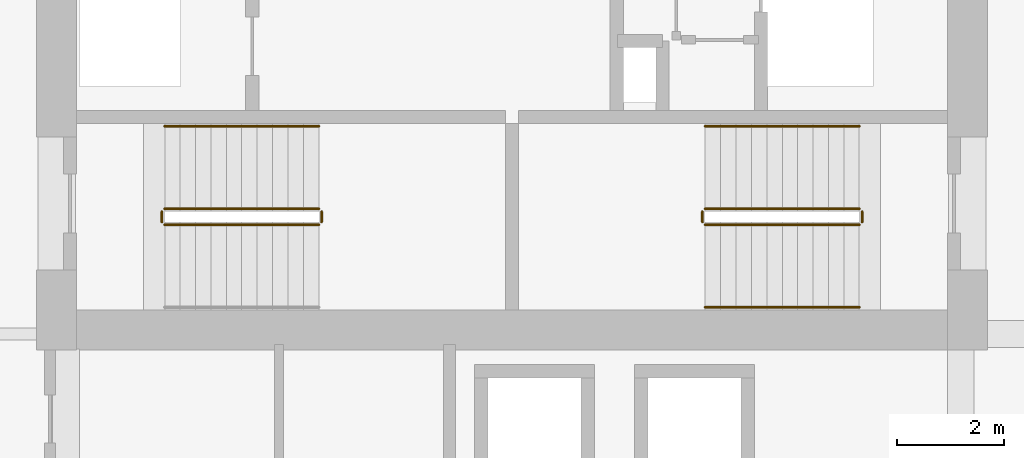
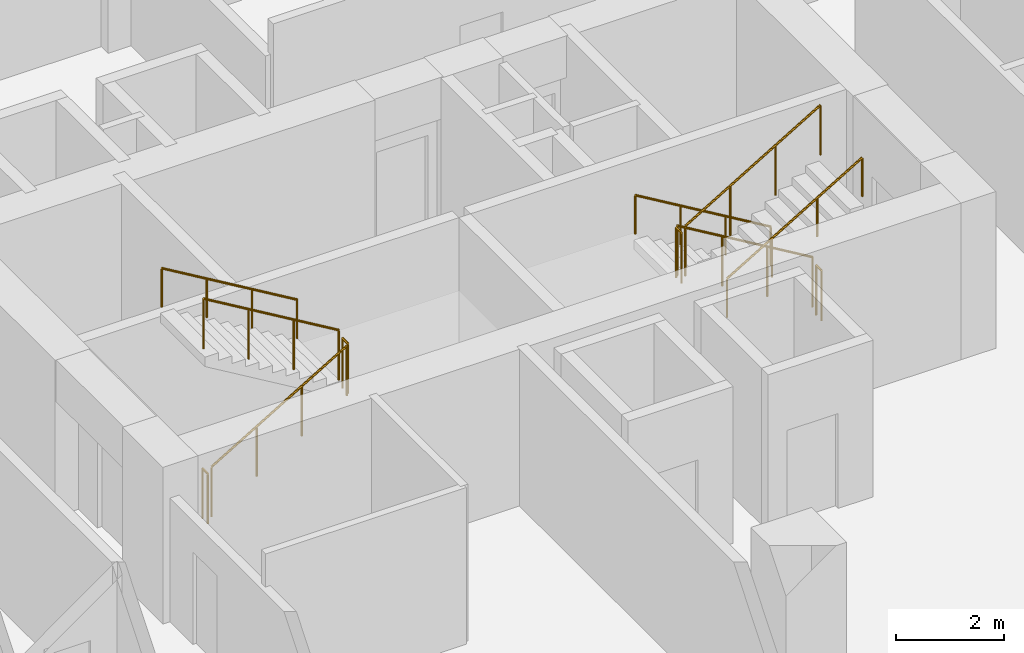
# One storey, part 19 of 21: 11 railings.
"""IFC4 building model written with IfcOpenShell, lengths in metres."""

from ifc_helpers import new_model, si_unit, direction, frame, origin, origin_2d, place, context, subcontext, project, spatial, circle, extrude, material, type_object, element, save


model = new_model("IFC4")

# Units and contexts
model_context = context("Model", 3, precision=1e-05, world=origin(), true_north=direction((0.0, 1.0)))
body_context = subcontext(model_context, "Body", "Model", "MODEL_VIEW")
ifc_project = project(units=[si_unit("LENGTHUNIT", "METRE"), si_unit("AREAUNIT", "SQUARE_METRE"), si_unit("VOLUMEUNIT", "CUBIC_METRE"), si_unit("PLANEANGLEUNIT", "RADIAN"), si_unit("MASSUNIT", "GRAM", prefix="KILO")], contexts=[model_context])

# Site, building, storey
site_placement = place(None, origin())
site = spatial("IfcSite", under=ifc_project, at=site_placement, CompositionType="ELEMENT")
building_placement = place(site_placement, origin())
building = spatial("IfcBuilding", under=site, at=building_placement, Name="Koriwani Terraces Tower", CompositionType="ELEMENT")
storey_placement = place(building_placement, frame((0.0, 0.0, 111.39990234375)))
storey = spatial("IfcBuildingStorey", under=building, at=storey_placement, Name="L26", CompositionType="ELEMENT", Elevation=111.39990234375)

# Railings
ifc_material = material(Name="Steel ASTM A572 Grade 50", Category="steel")
railing_type_1 = type_object("IfcRailingType", Name="GUARD_STAIR_WELL_1120", PredefinedType="GUARDRAIL", material=ifc_material)
railing_1_placement = place(storey_placement, frame((43.85009765625, 18.85009765625, 0.1728515625)))
element("IfcRailing", 1, at=railing_1_placement, inside=storey, type_object=railing_type_1, Name="L26 ST-E1 stair guard 1", PredefinedType="GUARDRAIL", context=body_context, shape_type="SweptSolid", body=[
    extrude(circle(Radius=0.02392578125, at=origin_2d()), frame((0.0, 0.0, 1.1259765625), z_axis=(0.859141464434, 0.0, 0.511738159696), x_axis=(0.0, 1.0, 0.0)), (0.0, 0.0, 1.0), 3.375244140625),
    extrude(circle(Radius=0.02099609375, at=origin_2d()), origin(), (0.0, 0.0, 1.0), 1.101806640625),
    extrude(circle(Radius=0.02099609375, at=origin_2d()), frame((0.966552734375, 0.0, 0.57568359375)), (0.0, 0.0, 1.0), 1.101806640625),
    extrude(circle(Radius=0.02099609375, at=origin_2d()), frame((1.933349609375, 0.0, 1.151611328125)), (0.0, 0.0, 1.0), 1.101806640625),
    extrude(circle(Radius=0.02099609375, at=origin_2d()), frame((2.89990234375, 0.0, 1.727294921875)), (0.0, 0.0, 1.0), 1.101806640625),
])
railing_2_placement = place(storey_placement, frame((46.800048828125, 18.89990234375, 1.900146484375)))
element("IfcRailing", 2, at=railing_2_placement, inside=storey, type_object=railing_type_1, Name="L26 ST-E1 stair guard 2", PredefinedType="GUARDRAIL", context=body_context, shape_type="SweptSolid", body=[
    extrude(circle(Radius=0.02392578125, at=origin_2d()), frame((0.0, 0.0, 1.1259765625), z_axis=(0.0, 1.0, 0.0), x_axis=(-1.0, 0.0, 0.0)), (0.0, 0.0, 1.0), 0.2001953125),
    extrude(circle(Radius=0.02099609375, at=origin_2d()), origin(), (0.0, 0.0, 1.0), 1.101806640625),
    extrude(circle(Radius=0.02099609375, at=origin_2d()), frame((0.0, 0.2001953125, 0.0)), (0.0, 0.0, 1.0), 1.101806640625),
])
railing_3_placement = place(storey_placement, frame((46.75, 19.14990234375, 2.07275390625)))
element("IfcRailing", 3, at=railing_3_placement, inside=storey, type_object=railing_type_1, Name="L26 ST-E1 stair guard 3", PredefinedType="GUARDRAIL", context=body_context, shape_type="SweptSolid", body=[
    extrude(circle(Radius=0.02392578125, at=origin_2d()), frame((0.0, 0.0, 1.1259765625), z_axis=(-0.859141464434, 0.0, 0.511738159696), x_axis=(0.0, -1.0, 0.0)), (0.0, 0.0, 1.0), 3.375244140625),
    extrude(circle(Radius=0.02099609375, at=origin_2d()), origin(), (0.0, 0.0, 1.0), 1.101806640625),
    extrude(circle(Radius=0.02099609375, at=origin_2d()), frame((-0.966552734375, 0.0, 0.57568359375)), (0.0, 0.0, 1.0), 1.101806640625),
    extrude(circle(Radius=0.02099609375, at=origin_2d()), frame((-1.933349609375, 0.0, 1.151611328125)), (0.0, 0.0, 1.0), 1.101806640625),
    extrude(circle(Radius=0.02099609375, at=origin_2d()), frame((-2.89990234375, 0.0, 1.727294921875)), (0.0, 0.0, 1.0), 1.101806640625),
])
railing_4_placement = place(storey_placement, frame((43.800048828125, 18.89990234375, 0.0)))
element("IfcRailing", 4, at=railing_4_placement, inside=storey, type_object=railing_type_1, Name="L26 ST-E1 stair guard 4", PredefinedType="GUARDRAIL", context=body_context, shape_type="SweptSolid", body=[
    extrude(circle(Radius=0.02392578125, at=origin_2d()), frame((0.0, 0.0, 1.1259765625), z_axis=(0.0, 1.0, 0.0), x_axis=(-1.0, 0.0, 0.0)), (0.0, 0.0, 1.0), 0.2001953125),
    extrude(circle(Radius=0.02099609375, at=origin_2d()), origin(), (0.0, 0.0, 1.0), 1.101806640625),
    extrude(circle(Radius=0.02099609375, at=origin_2d()), frame((0.0, 0.2001953125, 0.0)), (0.0, 0.0, 1.0), 1.101806640625),
])
railing_5_placement = place(storey_placement, frame((56.89990234375, 19.14990234375, 0.1728515625)))
element("IfcRailing", 5, at=railing_5_placement, inside=storey, type_object=railing_type_1, Name="L26 ST-E2 stair guard 1", PredefinedType="GUARDRAIL", context=body_context, shape_type="SweptSolid", body=[
    extrude(circle(Radius=0.02392578125, at=origin_2d()), frame((0.0, 0.0, 1.1259765625), z_axis=(-0.859141464434, 0.0, 0.511738159696), x_axis=(0.0, -1.0, 0.0)), (0.0, 0.0, 1.0), 3.375244140625),
    extrude(circle(Radius=0.02099609375, at=origin_2d()), origin(), (0.0, 0.0, 1.0), 1.101806640625),
    extrude(circle(Radius=0.02099609375, at=origin_2d()), frame((-0.966552734375, 0.0, 0.57568359375)), (0.0, 0.0, 1.0), 1.101806640625),
    extrude(circle(Radius=0.02099609375, at=origin_2d()), frame((-1.933349609375, 0.0, 1.151611328125)), (0.0, 0.0, 1.0), 1.101806640625),
    extrude(circle(Radius=0.02099609375, at=origin_2d()), frame((-2.89990234375, 0.0, 1.727294921875)), (0.0, 0.0, 1.0), 1.101806640625),
])
railing_6_placement = place(storey_placement, frame((53.949951171875, 19.10009765625, 1.900146484375)))
element("IfcRailing", 6, at=railing_6_placement, inside=storey, type_object=railing_type_1, Name="L26 ST-E2 stair guard 2", PredefinedType="GUARDRAIL", context=body_context, shape_type="SweptSolid", body=[
    extrude(circle(Radius=0.02392578125, at=origin_2d()), frame((0.0, 0.0, 1.1259765625), z_axis=(0.0, -1.0, 0.0), x_axis=(1.0, 0.0, 0.0)), (0.0, 0.0, 1.0), 0.2001953125),
    extrude(circle(Radius=0.02099609375, at=origin_2d()), origin(), (0.0, 0.0, 1.0), 1.101806640625),
    extrude(circle(Radius=0.02099609375, at=origin_2d()), frame((0.0, -0.2001953125, 0.0)), (0.0, 0.0, 1.0), 1.101806640625),
])
railing_7_placement = place(storey_placement, frame((54.0, 18.85009765625, 2.07275390625)))
element("IfcRailing", 7, at=railing_7_placement, inside=storey, type_object=railing_type_1, Name="L26 ST-E2 stair guard 3", PredefinedType="GUARDRAIL", context=body_context, shape_type="SweptSolid", body=[
    extrude(circle(Radius=0.02392578125, at=origin_2d()), frame((0.0, 0.0, 1.1259765625), z_axis=(0.859141464434, 0.0, 0.511738159696), x_axis=(0.0, 1.0, 0.0)), (0.0, 0.0, 1.0), 3.375244140625),
    extrude(circle(Radius=0.02099609375, at=origin_2d()), origin(), (0.0, 0.0, 1.0), 1.101806640625),
    extrude(circle(Radius=0.02099609375, at=origin_2d()), frame((0.966552734375, 0.0, 0.57568359375)), (0.0, 0.0, 1.0), 1.101806640625),
    extrude(circle(Radius=0.02099609375, at=origin_2d()), frame((1.933349609375, 0.0, 1.151611328125)), (0.0, 0.0, 1.0), 1.101806640625),
    extrude(circle(Radius=0.02099609375, at=origin_2d()), frame((2.89990234375, 0.0, 1.727294921875)), (0.0, 0.0, 1.0), 1.101806640625),
])
railing_8_placement = place(storey_placement, frame((56.949951171875, 19.10009765625, 0.0)))
element("IfcRailing", 8, at=railing_8_placement, inside=storey, type_object=railing_type_1, Name="L26 ST-E2 stair guard 4", PredefinedType="GUARDRAIL", context=body_context, shape_type="SweptSolid", body=[
    extrude(circle(Radius=0.02392578125, at=origin_2d()), frame((0.0, 0.0, 1.1259765625), z_axis=(0.0, -1.0, 0.0), x_axis=(1.0, 0.0, 0.0)), (0.0, 0.0, 1.0), 0.2001953125),
    extrude(circle(Radius=0.02099609375, at=origin_2d()), origin(), (0.0, 0.0, 1.0), 1.101806640625),
    extrude(circle(Radius=0.02099609375, at=origin_2d()), frame((0.0, -0.2001953125, 0.0)), (0.0, 0.0, 1.0), 1.101806640625),
])
railing_type_2 = type_object("IfcRailingType", Name="HANDRAIL_STAIR_920", PredefinedType="HANDRAIL", material=ifc_material)
for number, where, name in (
    (9, (46.75, 20.699951171875, 2.07275390625), "L26 ST-E1 stair handrail 2"),
    (10, (56.89990234375, 20.699951171875, 0.1728515625), "L26 ST-E2 stair handrail 1"),
):
    element("IfcRailing", number, at=place(storey_placement, frame(where)), inside=storey, type_object=railing_type_2, Name=name, PredefinedType="HANDRAIL", context=body_context, shape_type="SweptSolid", body=[
        extrude(circle(Radius=0.02392578125, at=origin_2d()), frame((0.0, 0.0, 0.8759765625), z_axis=(-0.859141464434, 0.0, 0.511738159696), x_axis=(0.0, -1.0, 0.0)), (0.0, 0.0, 1.0), 3.375244140625),
        extrude(circle(Radius=0.02099609375, at=origin_2d()), origin(), (0.0, 0.0, 1.0), 0.851806640625),
        extrude(circle(Radius=0.02099609375, at=origin_2d()), frame((-0.966552734375, 0.0, 0.57568359375)), (0.0, 0.0, 1.0), 0.851806640625),
        extrude(circle(Radius=0.02099609375, at=origin_2d()), frame((-1.933349609375, 0.0, 1.151611328125)), (0.0, 0.0, 1.0), 0.851806640625),
        extrude(circle(Radius=0.02099609375, at=origin_2d()), frame((-2.89990234375, 0.0, 1.727294921875)), (0.0, 0.0, 1.0), 0.851806640625),
    ])
railing_9_placement = place(storey_placement, frame((54.0, 17.300048828125, 2.07275390625)))
element("IfcRailing", 11, at=railing_9_placement, inside=storey, type_object=railing_type_2, Name="L26 ST-E2 stair handrail 2", PredefinedType="HANDRAIL", context=body_context, shape_type="SweptSolid", body=[
    extrude(circle(Radius=0.02392578125, at=origin_2d()), frame((0.0, 0.0, 0.8759765625), z_axis=(0.859141464434, 0.0, 0.511738159696), x_axis=(0.0, 1.0, 0.0)), (0.0, 0.0, 1.0), 3.375244140625),
    extrude(circle(Radius=0.02099609375, at=origin_2d()), origin(), (0.0, 0.0, 1.0), 0.851806640625),
    extrude(circle(Radius=0.02099609375, at=origin_2d()), frame((0.966552734375, 0.0, 0.57568359375)), (0.0, 0.0, 1.0), 0.851806640625),
    extrude(circle(Radius=0.02099609375, at=origin_2d()), frame((1.933349609375, 0.0, 1.151611328125)), (0.0, 0.0, 1.0), 0.851806640625),
    extrude(circle(Radius=0.02099609375, at=origin_2d()), frame((2.89990234375, 0.0, 1.727294921875)), (0.0, 0.0, 1.0), 0.851806640625),
])

save(model, "model.ifc")
